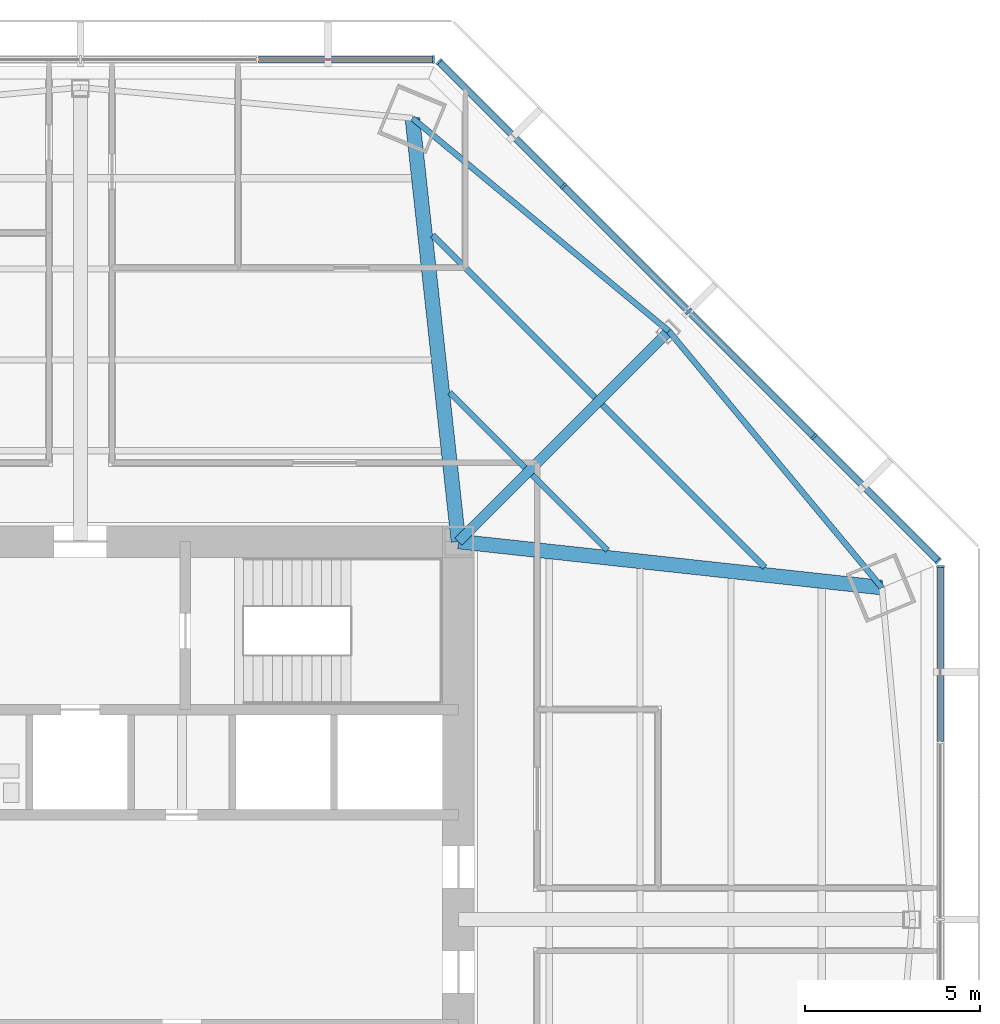
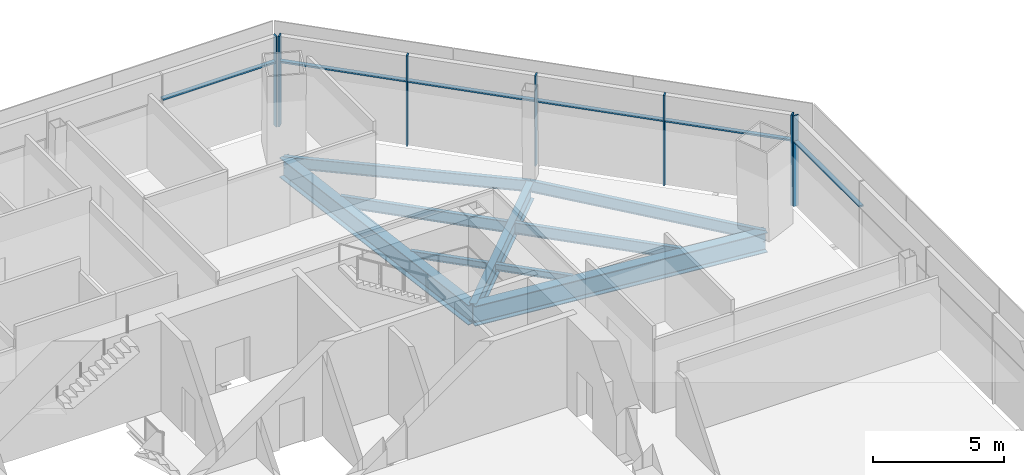
# One storey, part 6 of 14: 13 members, 9 beams, 3 elements without a shape of their own.
"""IFC4 building model written with IfcOpenShell, lengths in metres."""

import ifcopenshell
import ifcopenshell.guid

model = None  # the IFC model being written
_history = None  # IfcOwnerHistory: only IFC2X3 demands one
_inside = {}  # id of a spatial element -> (the spatial element, [elements in it])
_under = {}  # id of a project, library or spatial element -> (it, [spatial elements below it])
_declared = {}  # id of a project -> (the project, [libraries it declares])
_typed = {}  # id of a type object -> (the type object, [elements of that type])
_made_of = {}  # id of a material, layer set ... -> (it, [elements and type objects made of it])


def new_model(schema):
    """Start an empty IFC model of exactly this schema.

    Asked for "IFC4X3", IfcOpenShell would pick the latest addendum, in which some entities
    have other attributes; the version numbers below select the first issue.
    IFC2X3 requires an IfcOwnerHistory on every rooted entity: one is made here for all.
    """
    global model, _history
    if schema == "IFC4X3":
        model = ifcopenshell.file(schema_version=(4, 3, 0, 0))
    else:
        model = ifcopenshell.file(schema=schema)
    _inside.clear()
    _under.clear()
    _declared.clear()
    _typed.clear()
    _made_of.clear()
    _history = None
    if model.schema == "IFC2X3":
        org = make("IfcOrganization", Name="unknown")
        user = make(
            "IfcPersonAndOrganization",
            ThePerson=make("IfcPerson", FamilyName="unknown"),
            TheOrganization=org,
        )
        app = make(
            "IfcApplication",
            ApplicationDeveloper=org,
            Version="unknown",
            ApplicationFullName="unknown",
            ApplicationIdentifier="unknown",
        )
        _history = make(
            "IfcOwnerHistory",
            OwningUser=user,
            OwningApplication=app,
            ChangeAction="ADDED",
            CreationDate=0,
        )
    return model


def make(cls, **values):
    """One entity of the class cls with the attributes given. An attribute that is None is left unset."""
    return model.create_entity(
        cls, **{name: value for name, value in values.items() if value is not None}
    )


def rooted(cls, **values):
    """An entity with a GlobalId (a new one), such as an element, a storey or a relation."""
    return make(cls, GlobalId=ifcopenshell.guid.new(), OwnerHistory=_history, **values)


def si_unit(unit_type, name, prefix=None):
    """IfcSIUnit, for example si_unit("LENGTHUNIT", "METRE", prefix="MILLI")."""
    return make("IfcSIUnit", UnitType=unit_type, Prefix=prefix, Name=name)


def assignment(units):
    """IfcUnitAssignment: the units of a project."""
    return None if units is None else make("IfcUnitAssignment", Units=units)


def point(xyz):
    """IfcCartesianPoint."""
    return None if xyz is None else make("IfcCartesianPoint", Coordinates=xyz)


def direction(xyz):
    """IfcDirection."""
    return None if xyz is None else make("IfcDirection", DirectionRatios=xyz)


def frame(location, z_axis=None, x_axis=None):
    """IfcAxis2Placement3D, a coordinate frame: its origin and axes. An axis left out is left unset."""
    return make(
        "IfcAxis2Placement3D",
        Location=point(location),
        Axis=direction(z_axis),
        RefDirection=direction(x_axis),
    )


def frame_2d(location, x_axis=None):
    """IfcAxis2Placement2D, a coordinate frame in the plane: its origin and x axis."""
    return make(
        "IfcAxis2Placement2D", Location=point(location), RefDirection=direction(x_axis)
    )


def origin():
    """The frame at (0, 0, 0) with its axes left unset."""
    return frame((0.0, 0.0, 0.0))


def origin_2d():
    """The frame at (0, 0) in the plane with its x axis left unset."""
    return frame_2d((0.0, 0.0))


def place(relative_to, where):
    """IfcLocalPlacement: puts the frame where relative to a parent placement (None: the world)."""
    return make(
        "IfcLocalPlacement", PlacementRelTo=relative_to, RelativePlacement=where
    )


def context(
    kind, dimensions, precision=None, world=None, true_north=None, identifier=None
):
    """IfcGeometricRepresentationContext, for example the 3D "Model" context."""
    return make(
        "IfcGeometricRepresentationContext",
        ContextIdentifier=identifier,
        ContextType=kind,
        CoordinateSpaceDimension=dimensions,
        Precision=precision,
        WorldCoordinateSystem=world,
        TrueNorth=true_north,
    )


def subcontext(parent, identifier, kind, view, scale=None):
    """IfcGeometricRepresentationSubContext, for example "Body" below "Model"."""
    return make(
        "IfcGeometricRepresentationSubContext",
        ContextIdentifier=identifier,
        ContextType=kind,
        ParentContext=parent,
        TargetScale=scale,
        TargetView=view,
    )


def project(units=None, contexts=None):
    """IfcProject with its units and contexts."""
    return rooted(
        "IfcProject",
        Name="project",
        RepresentationContexts=contexts,
        UnitsInContext=assignment(units),
    )


def spatial(cls, under=None, at=None, **own):
    """A site, building, storey or space (cls), placed at a placement, below another one or the project."""
    s = rooted(cls, ObjectPlacement=at, **own)
    if under is not None:
        _under.setdefault(under.id(), (under, []))[1].append(s)
    return s


def profile(cls, at=None, kind="AREA", **sizes):
    """A parametric profile (cls). Its sizes go by their IFC names, for example OverallWidth=200.0."""
    return make(cls, ProfileType=kind, Position=at, **sizes)


def rectangle(**sizes):
    """IfcRectangleProfileDef."""
    return profile("IfcRectangleProfileDef", **sizes)


def i_section(**sizes):
    """IfcIShapeProfileDef."""
    return profile("IfcIShapeProfileDef", **sizes)


def extrude(swept, where, along, depth):
    """IfcExtrudedAreaSolid: the profile swept, set in the frame where, extruded along a direction by depth."""
    return make(
        "IfcExtrudedAreaSolid",
        SweptArea=swept,
        Position=where,
        ExtrudedDirection=direction(along),
        Depth=depth,
    )


def shape(context_of_items, identifier, shape_type, items):
    """IfcShapeRepresentation: the items that make up one representation, for example the "Body"."""
    return make(
        "IfcShapeRepresentation",
        ContextOfItems=context_of_items,
        RepresentationIdentifier=identifier,
        RepresentationType=shape_type,
        Items=items,
    )


def source(mapping_origin, context_of_items, identifier, shape_type, items):
    """IfcRepresentationMap: a shape defined once, which mapped items show again and again."""
    return make(
        "IfcRepresentationMap",
        MappingOrigin=mapping_origin,
        MappedRepresentation=shape(context_of_items, identifier, shape_type, items),
    )


def transform(
    local_origin,
    x_axis=None,
    y_axis=None,
    z_axis=None,
    scale=None,
    scale2=None,
    scale3=None,
    uniform=True,
):
    """IfcCartesianTransformationOperator3D, or its non-uniform kind. x_axis, y_axis, z_axis: its Axis1, 2, 3."""
    if uniform:
        return make(
            "IfcCartesianTransformationOperator3D",
            Axis1=direction(x_axis),
            Axis2=direction(y_axis),
            LocalOrigin=point(local_origin),
            Scale=scale,
            Axis3=direction(z_axis),
        )
    return make(
        "IfcCartesianTransformationOperator3DnonUniform",
        Axis1=direction(x_axis),
        Axis2=direction(y_axis),
        LocalOrigin=point(local_origin),
        Scale=scale,
        Axis3=direction(z_axis),
        Scale2=scale2,
        Scale3=scale3,
    )


def mapped(mapping_source, mapping_target):
    """IfcMappedItem: shows the shape of a source again, moved by a transform."""
    return make(
        "IfcMappedItem", MappingSource=mapping_source, MappingTarget=mapping_target
    )


def material(Name=None, Category=None):
    """IfcMaterial."""
    return make("IfcMaterial", Name=Name, Category=Category)


def material_profile(
    of_material, cross_section, Name=None, Category=None, Priority=None
):
    """IfcMaterialProfile: a cross section and its material."""
    return make(
        "IfcMaterialProfile",
        Name=Name,
        Material=of_material,
        Profile=cross_section,
        Priority=Priority,
        Category=Category,
    )


def profile_set(profiles, Name=None, composite=None):
    """IfcMaterialProfileSet."""
    return make(
        "IfcMaterialProfileSet",
        Name=Name,
        MaterialProfiles=profiles,
        CompositeProfile=composite,
    )


def made_of(thing, what):
    """Note that an element or type object is made of a material, layer set ...; save() writes the relation."""
    if what is not None:
        _made_of.setdefault(what.id(), (what, []))[1].append(thing)
    return thing


def type_object(cls, material=None, **own):
    """A type object (cls), such as IfcWallType, which elements share."""
    return made_of(rooted(cls, **own), material)


def type_shapes(of_type, sources):
    """Give a type object the sources (RepresentationMaps) that its elements show as mapped items."""
    of_type.RepresentationMaps = sources


def element(
    cls,
    number,
    at=None,
    inside=None,
    cuts=None,
    type_object=None,
    material=None,
    context=None,
    identifier="Body",
    shape_type=None,
    held_by="IfcProductDefinitionShape",
    body=None,
    shapes=None,
    **own,
):
    """One element of the class cls, such as IfcWall. Its Tag is "e" and its number.

    at: its placement. inside: the storey or other place that contains it. cuts: it is an
    opening in that element (IfcRelVoidsElement). A single representation is given by context,
    identifier, shape_type and body (its items); several are given by shapes. held_by: the class
    of the entity that holds the representations. save() writes the other relations.
    """
    e = rooted(cls, Tag="e%d" % number, ObjectPlacement=at, **own)
    if body is not None:
        shapes = [shape(context, identifier, shape_type, body)]
    if shapes is not None:
        e.Representation = make(held_by, Representations=shapes)
    if inside is not None:
        _inside.setdefault(inside.id(), (inside, []))[1].append(e)
    if cuts is not None:
        rooted(
            "IfcRelVoidsElement", RelatingBuildingElement=cuts, RelatedOpeningElement=e
        )
    if type_object is not None:
        _typed.setdefault(type_object.id(), (type_object, []))[1].append(e)
    return made_of(e, material)


def aggregate(whole, parts):
    """IfcRelAggregates: a whole, such as a stair, and the parts it consists of."""
    return rooted("IfcRelAggregates", RelatingObject=whole, RelatedObjects=parts)


def save(model, path):
    """Write the relations noted so far, then the file.

    IfcRelAggregates (storeys below a building ...), IfcRelContainedInSpatialStructure (elements
    in a storey), IfcRelDefinesByType, IfcRelAssociatesMaterial and IfcRelDeclares: one each for
    every whole, place, type object, material and project.
    """
    for whole, parts in _under.values():
        aggregate(whole, parts)
    for where, things in _inside.values():
        rooted(
            "IfcRelContainedInSpatialStructure",
            RelatedElements=things,
            RelatingStructure=where,
        )
    for kind, things in _typed.values():
        rooted("IfcRelDefinesByType", RelatedObjects=things, RelatingType=kind)
    for what, things in _made_of.values():
        rooted("IfcRelAssociatesMaterial", RelatedObjects=things, RelatingMaterial=what)
    for by, libraries in _declared.values():
        rooted("IfcRelDeclares", RelatingContext=by, RelatedDefinitions=libraries)
    model.write(path)


model = new_model("IFC4")

# Units and contexts
model_context = context("Model", 3, precision=1e-05, world=origin(), true_north=direction((0.0, 1.0)))
body_context = subcontext(model_context, "Body", "Model", "MODEL_VIEW")
ifc_project = project(units=[si_unit("LENGTHUNIT", "METRE"), si_unit("AREAUNIT", "SQUARE_METRE"), si_unit("VOLUMEUNIT", "CUBIC_METRE"), si_unit("PLANEANGLEUNIT", "RADIAN"), si_unit("MASSUNIT", "GRAM", prefix="KILO")], contexts=[model_context])

# Site, building, storey
site_placement = place(None, origin())
site = spatial("IfcSite", under=ifc_project, at=site_placement, CompositionType="ELEMENT")
building_placement = place(site_placement, origin())
building = spatial("IfcBuilding", under=site, at=building_placement, Name="Mashrafa Tower", CompositionType="ELEMENT")
storey_placement = place(building_placement, frame((0.0, 0.0, 121.800048828125)))
storey = spatial("IfcBuildingStorey", under=building, at=storey_placement, Name="L27", CompositionType="ELEMENT", Elevation=121.800048828125)

# Beams
ifc_material_1 = material(Name="Steel ASTM A992", Category="steel")
ifc_material_profile_1 = material_profile(ifc_material_1, i_section(OverallWidth=0.164794921875, OverallDepth=0.309814453125, WebThickness=0.005859375, FlangeThickness=0.009765625, FilletRadius=0.007568359375, at=origin_2d()), Name="W12X26")
ifc_profile_set_1 = profile_set([ifc_material_profile_1], Name="Steel ASTM A992")
beam_type_1 = type_object("IfcBeamType", Name="Beam W12X26", PredefinedType="BEAM", material=ifc_profile_set_1)
for number, where, z_axis, x_axis, name in (
    (1, (10.547119140625, 15.059814453125, -0.320068359375), (0.707106781187, -0.707106781187, 0.0), (0.707106781187, 0.707106781187, 0.0), "Floor beam L27 033"),
    (2, (12.90673828125, 12.7001953125, -0.320068359375), (0.707106781187, -0.707106781187, 0.0), (0.707106781187, 0.707106781187, 0.0), "Floor beam L27 036"),
):
    element("IfcBeam", number, at=place(storey_placement, frame(where, z_axis=z_axis, x_axis=x_axis)), inside=storey, type_object=beam_type_1, Name=name, PredefinedType="BEAM", context=body_context, shape_type="SweptSolid", body=[
        extrude(i_section(OverallWidth=0.164794921875, OverallDepth=0.309814453125, WebThickness=0.005859375, FlangeThickness=0.009765625, FilletRadius=0.007568359375, at=origin_2d()), origin(), (0.0, 0.0, 1.0), 3.044921875),
    ])
ifc_material_2 = material(Name="Steel ASTM A992", Category="steel")
ifc_material_profile_2 = material_profile(ifc_material_2, i_section(OverallWidth=0.1650390625, OverallDepth=0.52587890625, WebThickness=0.0087890625, FlangeThickness=0.011474609375, FilletRadius=0.0126953125, at=origin_2d()), Name="W21X44")
ifc_profile_set_2 = profile_set([ifc_material_profile_2], Name="Steel ASTM A992")
beam_type_2 = type_object("IfcBeamType", Name="Beam W21X44", PredefinedType="BEAM", material=ifc_profile_set_2)
for number, where, z_axis, x_axis, name in (
    (3, (10.057861328125, 19.556396484375, -0.427978515625), (0.707106781187, -0.707106781187, 0.0), (0.707106781187, 0.707106781187, 0.0), "Floor beam L27 030"),
    (4, (14.910400390625, 14.703857421875, -0.427978515625), (0.707106781187, -0.707106781187, 0.0), (0.707106781187, 0.707106781187, 0.0), "Floor beam L27 040"),
):
    element("IfcBeam", number, at=place(storey_placement, frame(where, z_axis=z_axis, x_axis=x_axis)), inside=storey, type_object=beam_type_2, Name=name, PredefinedType="BEAM", context=body_context, shape_type="SweptSolid", body=[
        extrude(i_section(OverallWidth=0.1650390625, OverallDepth=0.52587890625, WebThickness=0.0087890625, FlangeThickness=0.011474609375, FilletRadius=0.0126953125, at=origin_2d()), origin(), (0.0, 0.0, 1.0), 6.5703125),
    ])
for number, where, z_axis, x_axis, name in (
    (5, (16.810546875, 16.810546875, -0.427978515625), (-0.769293874267, 0.638895089209, 0.0), (-0.638895089209, -0.769293874267, 0.0), "Spandrel beam L27 077"),
    (6, (22.8955078125, 9.483642578125, -0.427978515625), (-0.638895089209, 0.769293874267, 0.0), (-0.769293874267, -0.638895089209, 0.0), "Spandrel beam L27 079"),
):
    element("IfcBeam", number, at=place(storey_placement, frame(where, z_axis=z_axis, x_axis=x_axis)), inside=storey, type_object=beam_type_2, Name=name, PredefinedType="BEAM", context=body_context, shape_type="SweptSolid", body=[
        extrude(i_section(OverallWidth=0.1650390625, OverallDepth=0.52587890625, WebThickness=0.0087890625, FlangeThickness=0.011474609375, FilletRadius=0.0126953125, at=origin_2d()), origin(), (0.0, 0.0, 1.0), 9.524169921875),
    ])
ifc_material_3 = material(Name="Steel ASTM A992", Category="steel")
ifc_material_profile_3 = material_profile(ifc_material_3, i_section(OverallWidth=0.2919921875, OverallDepth=0.8408203125, WebThickness=0.0146484375, FlangeThickness=0.021728515625, FilletRadius=0.017333984375, at=origin_2d()), Name="W33X130")
ifc_profile_set_3 = profile_set([ifc_material_profile_3], Name="Steel ASTM A992")
beam_type_3 = type_object("IfcBeamType", Name="Beam W33X130", PredefinedType="BEAM", material=ifc_profile_set_3)
beam_placement = place(storey_placement, frame((10.800048828125, 10.800048828125, -0.58544921875), z_axis=(0.707106781187, 0.707106781187, 0.0), x_axis=(-0.707106781187, 0.707106781187, 0.0)))
element("IfcBeam", 7, at=beam_placement, inside=storey, type_object=beam_type_3, Name="Radial girder L27 063", PredefinedType="BEAM", context=body_context, shape_type="SweptSolid", body=[
    extrude(i_section(OverallWidth=0.2919921875, OverallDepth=0.8408203125, WebThickness=0.0146484375, FlangeThickness=0.021728515625, FilletRadius=0.017333984375, at=origin_2d()), origin(), (0.0, 0.0, 1.0), 8.500244140625),
])
ifc_material_4 = material(Name="Steel ASTM A992", Category="steel")
ifc_material_profile_4 = material_profile(ifc_material_4, i_section(OverallWidth=0.419189453125, OverallDepth=0.927001953125, WebThickness=0.019287109375, FlangeThickness=0.031982421875, FilletRadius=0.020263671875, at=origin_2d()), Name="W36X231")
ifc_profile_set_4 = profile_set([ifc_material_profile_4], Name="Steel ASTM A992")
beam_type_4 = type_object("IfcBeamType", Name="Beam W36X231", PredefinedType="BEAM", material=ifc_profile_set_4)
for number, where, z_axis, x_axis, name in (
    (8, (10.800048828125, 10.800048828125, -0.628662109375), (-0.108195845951, 0.994129598654, 0.0), (-0.994129598654, -0.108195845951, 0.0), "Radial girder L27 062"),
    (9, (10.800048828125, 10.800048828125, -0.628662109375), (0.994129598654, -0.108195845951, 0.0), (0.108195845951, 0.994129598654, 0.0), "Radial girder L27 064"),
):
    element("IfcBeam", number, at=place(storey_placement, frame(where, z_axis=z_axis, x_axis=x_axis)), inside=storey, type_object=beam_type_4, Name=name, PredefinedType="BEAM", context=body_context, shape_type="SweptSolid", body=[
        extrude(i_section(OverallWidth=0.419189453125, OverallDepth=0.927001953125, WebThickness=0.019287109375, FlangeThickness=0.031982421875, FilletRadius=0.020263671875, at=origin_2d()), origin(), (0.0, 0.0, 1.0), 12.1669921875),
    ])

# Curtain wall, member
ifc_material_5 = material(Name="Unitised aluminium curtain wall", Category="aluminium")
curtain_wall_type = type_object("IfcCurtainWallType", Name="Office curtain wall, zone 2 CW-B 225 deep", PredefinedType="NOTDEFINED", material=ifc_material_5)
curtain_wall_1_placement = place(storey_placement, origin())
curtain_wall_1 = element("IfcCurtainWall", 10, at=curtain_wall_1_placement, inside=storey, type_object=curtain_wall_type, Name="Office curtain wall, zone 2 L27 east", PredefinedType="NOTDEFINED")
ifc_material_6 = material(Name="Extruded aluminium mullion", Category="aluminium")
ifc_material_profile_5 = material_profile(ifc_material_6, rectangle(XDim=0.22509765625, YDim=0.06494140625, at=origin_2d()), Name="Mullion 65x225")
ifc_profile_set_5 = profile_set([ifc_material_profile_5], Name="Extruded aluminium mullion")
member_type_1 = type_object("IfcMemberType", Name="Mullion CW-B 65 x 225", PredefinedType="MULLION", material=ifc_profile_set_5)
shared_shape_1 = source(origin(), body_context, "Body", "SweptSolid", [
    extrude(rectangle(XDim=0.22509765625, YDim=0.06494140625, at=origin_2d()), origin(), (0.0, 0.0, 1.0), 4.199951171875),
])
type_shapes(member_type_1, [shared_shape_1])
member_1_placement = place(storey_placement, frame((24.569091796875, 10.087890625, 0.0), z_axis=(0.0, 0.0, 1.0), x_axis=(-1.0, 0.0, 0.0)))
member_1 = element("IfcMember", 11, at=member_1_placement, type_object=member_type_1, Name="CW-B mullion 5", PredefinedType="MULLION", context=body_context, shape_type="MappedRepresentation", body=[
    mapped(shared_shape_1, transform((0.0, 0.0, 0.0))),
])

# Curtain wall, members
curtain_wall_2_placement = place(storey_placement, origin())
curtain_wall_2 = element("IfcCurtainWall", 12, at=curtain_wall_2_placement, inside=storey, type_object=curtain_wall_type, Name="Office curtain wall, zone 2 L27 north-east", PredefinedType="NOTDEFINED")
member_2_placement = place(storey_placement, frame((24.506103515625, 10.239990234375, 0.0), z_axis=(0.0, 0.0, 1.0), x_axis=(-0.707106781187, -0.707106781187, 0.0)))
member_2 = element("IfcMember", 13, at=member_2_placement, type_object=member_type_1, Name="CW-B mullion 1", PredefinedType="MULLION", context=body_context, shape_type="MappedRepresentation", body=[
    mapped(shared_shape_1, transform((0.0, 0.0, 0.0))),
])
member_3_placement = place(storey_placement, frame((20.951171875, 13.794921875, 0.0), z_axis=(0.0, 0.0, 1.0), x_axis=(-0.707106781187, -0.707106781187, 0.0)))
member_3 = element("IfcMember", 14, at=member_3_placement, type_object=member_type_1, Name="CW-B mullion 2", PredefinedType="MULLION", context=body_context, shape_type="MappedRepresentation", body=[
    mapped(shared_shape_1, transform((0.0, 0.0, 0.0))),
])
member_4_placement = place(storey_placement, frame((17.373046875, 17.373046875, 0.0), z_axis=(0.0, 0.0, 1.0), x_axis=(-0.707106781187, -0.707106781187, 0.0)))
member_4 = element("IfcMember", 15, at=member_4_placement, type_object=member_type_1, Name="CW-B mullion 3", PredefinedType="MULLION", context=body_context, shape_type="MappedRepresentation", body=[
    mapped(shared_shape_1, transform((0.0, 0.0, 0.0))),
])
member_5_placement = place(storey_placement, frame((13.794921875, 20.951171875, 0.0), z_axis=(0.0, 0.0, 1.0), x_axis=(-0.707106781187, -0.707106781187, 0.0)))
member_5 = element("IfcMember", 16, at=member_5_placement, type_object=member_type_1, Name="CW-B mullion 4", PredefinedType="MULLION", context=body_context, shape_type="MappedRepresentation", body=[
    mapped(shared_shape_1, transform((0.0, 0.0, 0.0))),
])
member_6_placement = place(storey_placement, frame((10.239990234375, 24.506103515625, 0.0), z_axis=(0.0, 0.0, 1.0), x_axis=(-0.707106781187, -0.707106781187, 0.0)))
member_6 = element("IfcMember", 17, at=member_6_placement, type_object=member_type_1, Name="CW-B mullion 5", PredefinedType="MULLION", context=body_context, shape_type="MappedRepresentation", body=[
    mapped(shared_shape_1, transform((0.0, 0.0, 0.0))),
])

# Curtain wall, member
curtain_wall_3_placement = place(storey_placement, origin())
curtain_wall_3 = element("IfcCurtainWall", 18, at=curtain_wall_3_placement, inside=storey, type_object=curtain_wall_type, Name="Office curtain wall, zone 2 L27 north", PredefinedType="NOTDEFINED")
member_7_placement = place(storey_placement, frame((10.087890625, 24.569091796875, 0.0), z_axis=(0.0, 0.0, 1.0), x_axis=(0.0, -1.0, 0.0)))
member_7 = element("IfcMember", 19, at=member_7_placement, type_object=member_type_1, Name="CW-B mullion 1", PredefinedType="MULLION", context=body_context, shape_type="MappedRepresentation", body=[
    mapped(shared_shape_1, transform((0.0, 0.0, 0.0))),
])

# Member
ifc_material_7 = material(Name="Extruded aluminium transom", Category="aluminium")
ifc_material_profile_6 = material_profile(ifc_material_7, rectangle(XDim=0.179931640625, YDim=0.080078125, at=origin_2d()), Name="Transom 80x180")
ifc_profile_set_6 = profile_set([ifc_material_profile_6], Name="Extruded aluminium transom")
member_type_2 = type_object("IfcMemberType", Name="Transom CW-B 80 x 180", PredefinedType="MULLION", material=ifc_profile_set_6)
shared_shape_2 = source(origin(), body_context, "Body", "SweptSolid", [
    extrude(rectangle(XDim=0.179931640625, YDim=0.080078125, at=origin_2d()), origin(), (0.0, 0.0, 1.0), 4.962646484375),
])
member_8_placement = place(storey_placement, frame((24.569091796875, 5.092529296875, 3.0), z_axis=(0.0, 1.0, 0.0), x_axis=(-1.0, 0.0, 0.0)))
member_8 = element("IfcMember", 20, at=member_8_placement, type_object=member_type_2, Name="CW-B transom 4", PredefinedType="MULLION", context=body_context, shape_type="MappedRepresentation", body=[
    mapped(shared_shape_2, transform((0.0, 0.0, 0.0))),
])

aggregate(curtain_wall_1, [member_1, member_8])

member_9_placement = place(storey_placement, frame((10.05517578125, 24.569091796875, 3.0), z_axis=(-1.0, 0.0, 0.0), x_axis=(0.0, -1.0, 0.0)))
member_9 = element("IfcMember", 21, at=member_9_placement, type_object=member_type_2, Name="CW-B transom 1", PredefinedType="MULLION", context=body_context, shape_type="MappedRepresentation", body=[
    mapped(shared_shape_2, transform((0.0, 0.0, 0.0))),
])

aggregate(curtain_wall_3, [member_7, member_9])

shared_shape_3 = source(origin(), body_context, "Body", "SweptSolid", [
    extrude(rectangle(XDim=0.179931640625, YDim=0.080078125, at=origin_2d()), origin(), (0.0, 0.0, 1.0), 4.96240234375),
])
member_10_placement = place(storey_placement, frame((24.483154296875, 10.262939453125, 3.0), z_axis=(-0.707106781187, 0.707106781187, 0.0), x_axis=(-0.707106781187, -0.707106781187, 0.0)))
member_10 = element("IfcMember", 22, at=member_10_placement, type_object=member_type_2, Name="CW-B transom 1", PredefinedType="MULLION", context=body_context, shape_type="MappedRepresentation", body=[
    mapped(shared_shape_3, transform((0.0, 0.0, 0.0))),
])

member_11_placement = place(storey_placement, frame((13.77197265625, 20.97412109375, 3.0), z_axis=(-0.707106781187, 0.707106781187, 0.0), x_axis=(-0.707106781187, -0.707106781187, 0.0)))
member_11 = element("IfcMember", 23, at=member_11_placement, type_object=member_type_2, Name="CW-B transom 4", PredefinedType="MULLION", context=body_context, shape_type="MappedRepresentation", body=[
    mapped(shared_shape_3, transform((0.0, 0.0, 0.0))),
])

shared_shape_4 = source(origin(), body_context, "Body", "SweptSolid", [
    extrude(rectangle(XDim=0.179931640625, YDim=0.080078125, at=origin_2d()), origin(), (0.0, 0.0, 1.0), 4.995361328125),
])
type_shapes(member_type_2, [shared_shape_2, shared_shape_3, shared_shape_4])
member_12_placement = place(storey_placement, frame((20.92822265625, 13.81787109375, 3.0), z_axis=(-0.707106781187, 0.707106781187, 0.0), x_axis=(-0.707106781187, -0.707106781187, 0.0)))
member_12 = element("IfcMember", 24, at=member_12_placement, type_object=member_type_2, Name="CW-B transom 2", PredefinedType="MULLION", context=body_context, shape_type="MappedRepresentation", body=[
    mapped(shared_shape_4, transform((0.0, 0.0, 0.0))),
])

member_13_placement = place(storey_placement, frame((17.35009765625, 17.39599609375, 3.0), z_axis=(-0.707106781187, 0.707106781187, 0.0), x_axis=(-0.707106781187, -0.707106781187, 0.0)))
member_13 = element("IfcMember", 25, at=member_13_placement, type_object=member_type_2, Name="CW-B transom 3", PredefinedType="MULLION", context=body_context, shape_type="MappedRepresentation", body=[
    mapped(shared_shape_4, transform((0.0, 0.0, 0.0))),
])

aggregate(curtain_wall_2, [member_2, member_3, member_4, member_5, member_6, member_10, member_12, member_13, member_11])

save(model, "model.ifc")
